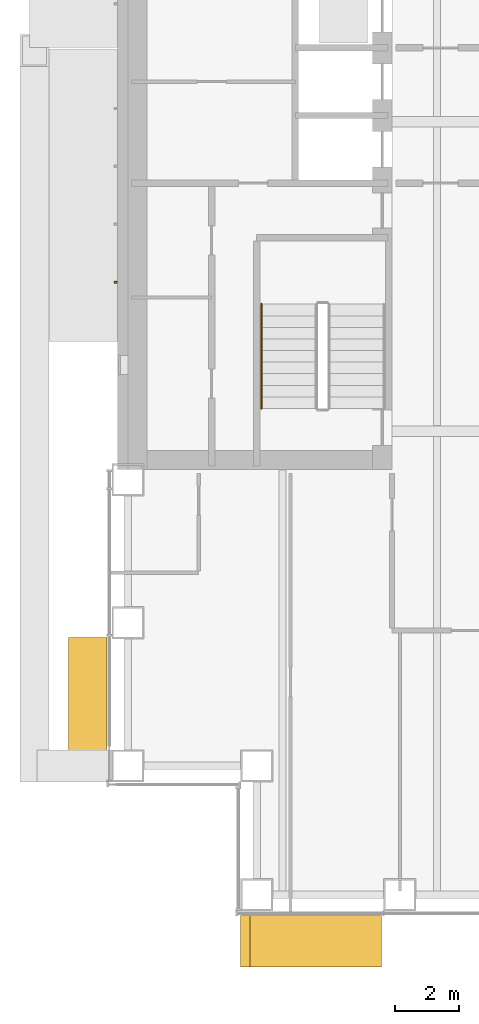
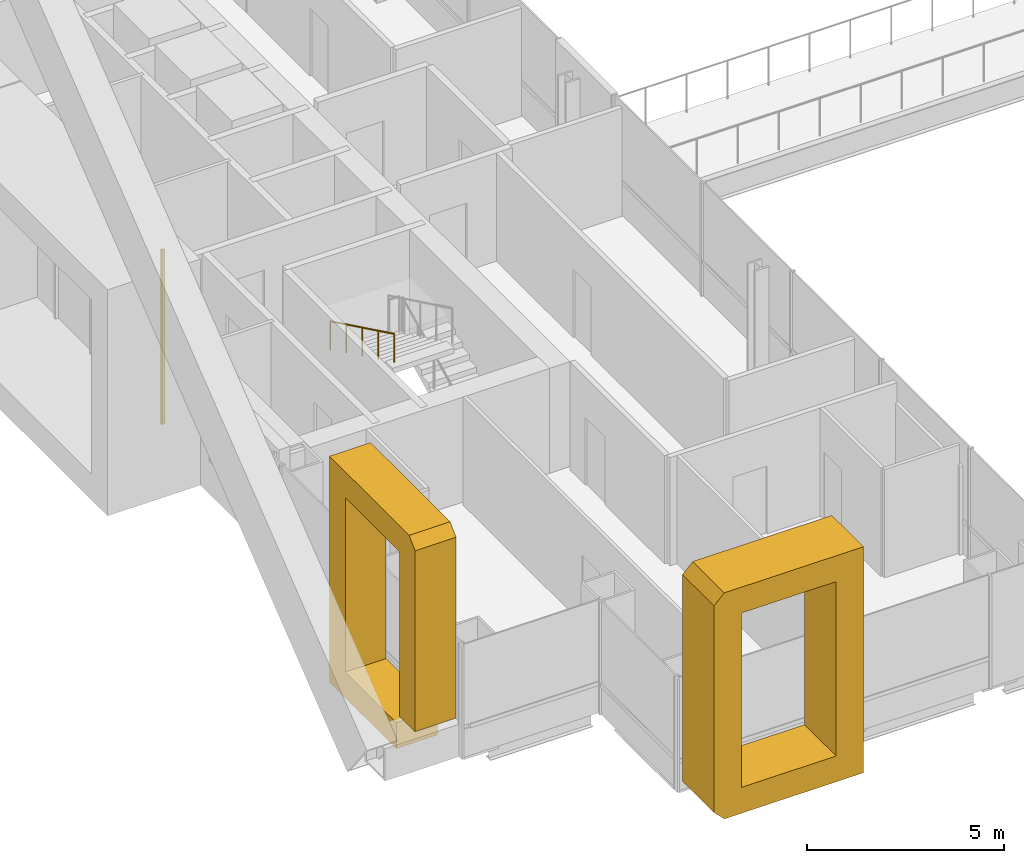
# One storey, part 21 of 26: 3 coverings, 1 railing.
"""IFC4 building model written with IfcOpenShell, lengths in metres."""

from ifc_helpers import new_model, si_unit, direction, frame, origin, origin_2d, place, context, subcontext, project, spatial, polyline, rectangle, circle, outline, extrude, material, type_object, element, save


model = new_model("IFC4")

# Units and contexts
model_context = context("Model", 3, precision=1e-05, world=origin(), true_north=direction((0.0, 1.0)))
body_context = subcontext(model_context, "Body", "Model", "MODEL_VIEW")
ifc_project = project(units=[si_unit("LENGTHUNIT", "METRE"), si_unit("AREAUNIT", "SQUARE_METRE"), si_unit("VOLUMEUNIT", "CUBIC_METRE"), si_unit("PLANEANGLEUNIT", "RADIAN"), si_unit("MASSUNIT", "GRAM", prefix="KILO")], contexts=[model_context])

# Site, building, storey
site_placement = place(None, origin())
site = spatial("IfcSite", under=ifc_project, at=site_placement, CompositionType="ELEMENT")
building_placement = place(site_placement, origin())
building = spatial("IfcBuilding", under=site, at=building_placement, Name="Cobrizo Arcos Hotel Tower", CompositionType="ELEMENT")
storey_placement = place(building_placement, frame((0.0, 0.0, 67.0)))
storey = spatial("IfcBuildingStorey", under=building, at=storey_placement, Name="L15", CompositionType="ELEMENT", Elevation=67.0)

# Coverings
ifc_material_1 = material(Name="Aluminium 6063-T6 anodised bronze", Category="aluminium")
covering_type_1 = type_object("IfcCoveringType", Name="FIN-F 1200", PredefinedType="CLADDING", material=ifc_material_1)
covering_1_placement = place(storey_placement, frame((-24.64990234375, -16.00830078125, 0.0), z_axis=(-1.0, 0.0, 0.0), x_axis=(0.0, -1.0, 0.0)))
element("IfcCovering", 1, at=covering_1_placement, inside=storey, type_object=covering_type_1, Name="Fin frame 80", PredefinedType="CLADDING", context=body_context, shape_type="SweptSolid", body=[
    extrude(outline(polyline([(0.0, 0.0), (3.3896484375, 0.0), (3.3896484375, 0.800048828125), (0.800048828125, 0.800048828125), (0.800048828125, 6.199951171875), (3.541748046875, 6.199951171875), (3.541748046875, 1.10205078125), (4.341796875, 1.10205078125), (4.341796875, 6.699951171875), (4.041748046875, 7.0), (0.0, 7.0), (0.0, 0.0)])), origin(), (0.0, 0.0, 1.0), 1.2001953125),
])
covering_type_2 = type_object("IfcCoveringType", Name="FIN-F 1600", PredefinedType="CLADDING", material=ifc_material_1)
covering_2_placement = place(storey_placement, frame((-20.5, -24.64990234375, 0.0), z_axis=(0.0, -1.0, 0.0), x_axis=(1.0, 0.0, 0.0)))
element("IfcCovering", 2, at=covering_2_placement, inside=storey, type_object=covering_type_2, Name="Fin frame 57", PredefinedType="CLADDING", context=body_context, shape_type="SweptSolid", body=[
    extrude(outline(polyline([(0.0, 0.300048828125), (0.300048828125, 0.0), (4.375, 0.0), (4.375, 7.0), (0.300048828125, 7.0), (0.0, 6.699951171875), (0.0, 0.300048828125)]), holes=[polyline([(3.574951171875, 0.800048828125), (0.800048828125, 0.800048828125), (0.800048828125, 6.199951171875), (3.574951171875, 6.199951171875), (3.574951171875, 0.800048828125)])]), origin(), (0.0, 0.0, 1.0), 1.60009765625),
])
ifc_material_2 = material(Name="Aluminium 6063-T6 anodised pale", Category="aluminium")
covering_type_3 = type_object("IfcCoveringType", Name="RS-1 rainscreen rib 60x90", PredefinedType="CLADDING", material=ifc_material_2)
covering_3_placement = place(storey_placement, frame((-24.3701171875, -4.9833984375, 0.800048828125), z_axis=(0.0, 0.0, 1.0), x_axis=(0.0, -1.0, 0.0)))
element("IfcCovering", 3, at=covering_3_placement, inside=storey, type_object=covering_type_3, Name="Rainscreen rib 128", PredefinedType="CLADDING", context=body_context, shape_type="SweptSolid", body=[
    extrude(rectangle(XDim=0.06005859375, YDim=0.090087890625, at=origin_2d()), origin(), (0.0, 0.0, 1.0), 5.39990234375),
])

# Railing
ifc_material_3 = material(Name="Stainless steel railing", Category="steel")
railing_type = type_object("IfcRailingType", Name="Stair handrail", PredefinedType="HANDRAIL", material=ifc_material_3)
railing_placement = place(storey_placement, frame((-19.85009765625, -5.659912109375, 1.925048828125)))
element("IfcRailing", 4, at=railing_placement, inside=storey, type_object=railing_type, Name="L15 ST-W stair handrail 2", PredefinedType="HANDRAIL", context=body_context, shape_type="SweptSolid", body=[
    extrude(circle(Radius=0.02392578125, at=origin_2d()), frame((0.0, 0.0, 0.8759765625), z_axis=(0.0, -0.899372665325, 0.437182809435), x_axis=(1.0, 0.0, 0.0)), (0.0, 0.0, 1.0), 3.6025390625),
    extrude(circle(Radius=0.02099609375, at=origin_2d()), origin(), (0.0, 0.0, 1.0), 0.851806640625),
    extrude(circle(Radius=0.02099609375, at=origin_2d()), frame((0.0, -0.81005859375, 0.393798828125)), (0.0, 0.0, 1.0), 0.851806640625),
    extrude(circle(Radius=0.02099609375, at=origin_2d()), frame((0.0, -1.6201171875, 0.78759765625)), (0.0, 0.0, 1.0), 0.851806640625),
    extrude(circle(Radius=0.02099609375, at=origin_2d()), frame((0.0, -2.429931640625, 1.18115234375)), (0.0, 0.0, 1.0), 0.851806640625),
    extrude(circle(Radius=0.02099609375, at=origin_2d()), frame((0.0, -3.239990234375, 1.574951171875)), (0.0, 0.0, 1.0), 0.851806640625),
])

save(model, "model.ifc")
